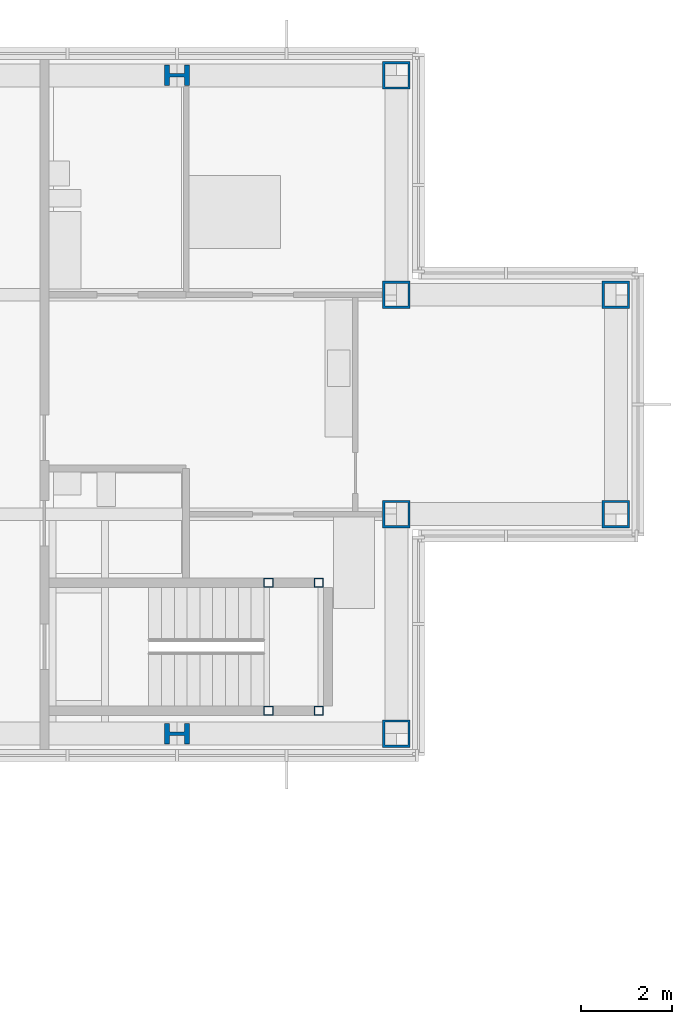
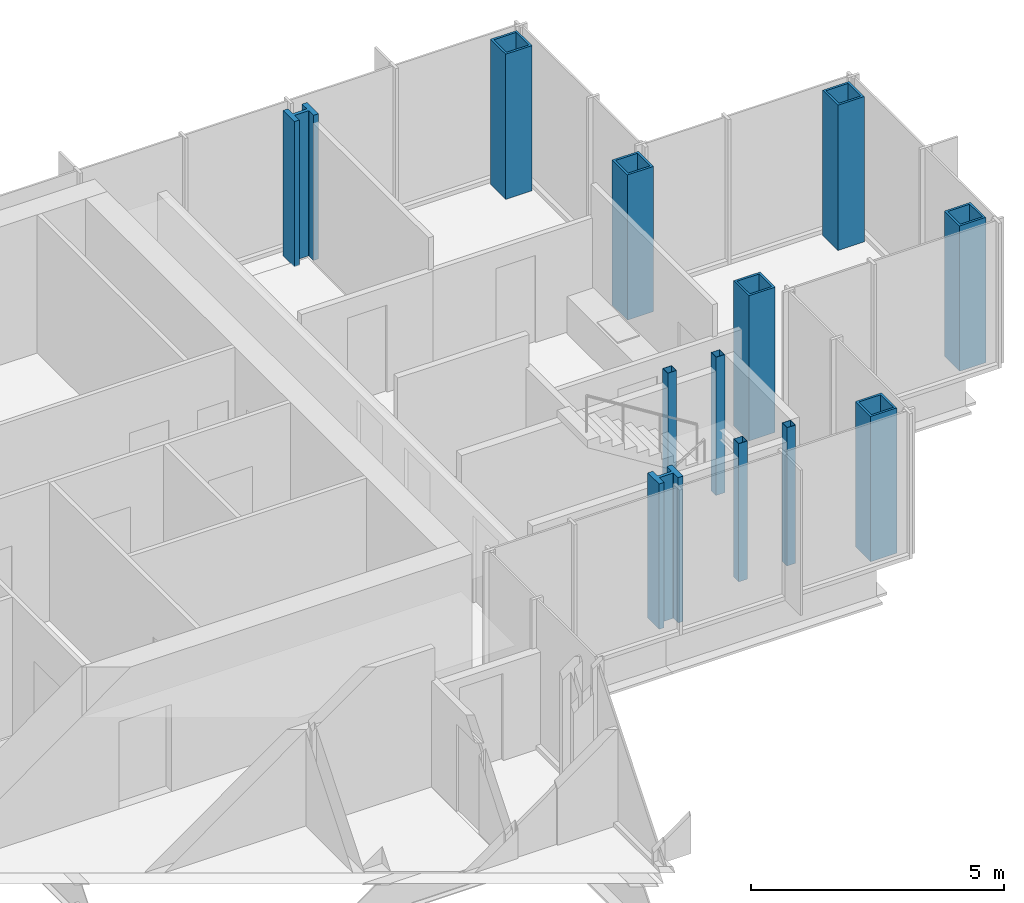
# One storey, part 4 of 15: 12 columns.
"""IFC4 building model written with IfcOpenShell, lengths in metres."""

from ifc_helpers import new_model, si_unit, direction, frame, origin, origin_2d, place, context, subcontext, project, spatial, hollow_rectangle, i_section, extrude, material, material_profile, profile_set, type_object, element, save


model = new_model("IFC4")

# Units and contexts
model_context = context("Model", 3, precision=1e-05, world=origin(), true_north=direction((0.0, 1.0)))
body_context = subcontext(model_context, "Body", "Model", "MODEL_VIEW")
ifc_project = project(units=[si_unit("LENGTHUNIT", "METRE"), si_unit("AREAUNIT", "SQUARE_METRE"), si_unit("VOLUMEUNIT", "CUBIC_METRE"), si_unit("PLANEANGLEUNIT", "RADIAN"), si_unit("MASSUNIT", "GRAM", prefix="KILO")], contexts=[model_context])

# Site, building, storey
site_placement = place(None, origin())
site = spatial("IfcSite", under=ifc_project, at=site_placement, CompositionType="ELEMENT")
building_placement = place(site_placement, origin())
building = spatial("IfcBuilding", under=site, at=building_placement, Name="Kvirike Care Tower", CompositionType="ELEMENT")
storey_placement = place(building_placement, frame((0.0, 0.0, 229.5)))
storey = spatial("IfcBuildingStorey", under=building, at=storey_placement, Name="L63", CompositionType="ELEMENT", Elevation=229.5)

# Columns
ifc_material_1 = material(Name="Steel S460", Category="steel")
ifc_material_profile_1 = material_profile(ifc_material_1, hollow_rectangle(XDim=0.60009765625, YDim=0.60009765625, WallThickness=0.050048828125, at=origin_2d()), Name="BX 600x600x50")
ifc_profile_set_1 = profile_set([ifc_material_profile_1], Name="Steel S460")
column_type_1 = type_object("IfcColumnType", Name="COLUMN BX 600x600x50", PredefinedType="COLUMN", material=ifc_profile_set_1)
for number, where, z_axis, x_axis, name in (
    (1, (38.39990234375, 28.800048828125, 0.0), (0.0, 0.0, 1.0), (0.0, 1.0, 0.0), "Column G11 L63"),
    (2, (38.39990234375, 33.60009765625, 0.0), (0.0, 0.0, 1.0), (0.0, 1.0, 0.0), "Column H11 L63"),
    (3, (38.39990234375, 38.39990234375, 0.0), (0.0, 0.0, 1.0), (0.0, 1.0, 0.0), "Column J11 L63"),
    (4, (38.39990234375, 43.199951171875, 0.0), (0.0, 0.0, 1.0), (0.0, 1.0, 0.0), "Column K11 L63"),
    (5, (43.199951171875, 33.60009765625, 0.0), (0.0, 0.0, 1.0), (0.0, 1.0, 0.0), "Column H12 L63"),
    (6, (43.199951171875, 38.39990234375, 0.0), (0.0, 0.0, 1.0), (0.0, 1.0, 0.0), "Column J12 L63"),
):
    element("IfcColumn", number, at=place(storey_placement, frame(where, z_axis=z_axis, x_axis=x_axis)), inside=storey, type_object=column_type_1, Name=name, PredefinedType="COLUMN", context=body_context, shape_type="SweptSolid", body=[
        extrude(hollow_rectangle(XDim=0.60009765625, YDim=0.60009765625, WallThickness=0.050048828125, at=origin_2d()), origin(), (0.0, 0.0, 1.0), 3.5),
    ])
ifc_material_2 = material(Name="Steel S460", Category="steel")
ifc_material_profile_2 = material_profile(ifc_material_2, i_section(OverallWidth=0.447998046875, OverallDepth=0.550048828125, WebThickness=0.072021484375, FlangeThickness=0.114990234375, FilletRadius=0.014892578125, at=origin_2d()), Name="HD 400x990")
ifc_profile_set_2 = profile_set([ifc_material_profile_2], Name="Steel S460")
column_type_2 = type_object("IfcColumnType", Name="COLUMN HD 400x990", PredefinedType="COLUMN", material=ifc_profile_set_2)
for number, where, z_axis, x_axis, name in (
    (7, (33.60009765625, 28.800048828125, 0.0), (0.0, 0.0, 1.0), (0.0, 1.0, 0.0), "Column G10 L63"),
    (8, (33.60009765625, 43.199951171875, 0.0), (0.0, 0.0, 1.0), (0.0, 1.0, 0.0), "Column K10 L63"),
):
    element("IfcColumn", number, at=place(storey_placement, frame(where, z_axis=z_axis, x_axis=x_axis)), inside=storey, type_object=column_type_2, Name=name, PredefinedType="COLUMN", context=body_context, shape_type="SweptSolid", body=[
        extrude(i_section(OverallWidth=0.447998046875, OverallDepth=0.550048828125, WebThickness=0.072021484375, FlangeThickness=0.114990234375, FilletRadius=0.014892578125, at=origin_2d()), origin(), (0.0, 0.0, 1.0), 3.5),
    ])
ifc_material_3 = material(Name="Steel S460", Category="steel")
ifc_material_profile_3 = material_profile(ifc_material_3, hollow_rectangle(XDim=0.199951171875, YDim=0.199951171875, WallThickness=0.008056640625, at=origin_2d()), Name="SHS 200x200x8")
ifc_profile_set_3 = profile_set([ifc_material_profile_3], Name="Steel S460")
column_type_3 = type_object("IfcColumnType", Name="STAIR POST SHS 200x200x8", PredefinedType="COLUMN", material=ifc_profile_set_3)
for number, where, z_axis, x_axis, name in (
    (9, (36.699951171875, 29.300048828125, 0.0), (0.0, 0.0, 1.0), (1.0, 0.0, 0.0), "Stair 2 post 1 L63"),
    (10, (36.699951171875, 32.10009765625, 0.0), (0.0, 0.0, 1.0), (1.0, 0.0, 0.0), "Stair 2 post 2 L63"),
    (11, (35.60009765625, 29.300048828125, 0.0), (0.0, 0.0, 1.0), (1.0, 0.0, 0.0), "Stair 2 post 3 L63"),
    (12, (35.60009765625, 32.10009765625, 0.0), (0.0, 0.0, 1.0), (1.0, 0.0, 0.0), "Stair 2 post 4 L63"),
):
    element("IfcColumn", number, at=place(storey_placement, frame(where, z_axis=z_axis, x_axis=x_axis)), inside=storey, type_object=column_type_3, Name=name, PredefinedType="COLUMN", context=body_context, shape_type="SweptSolid", body=[
        extrude(hollow_rectangle(XDim=0.199951171875, YDim=0.199951171875, WallThickness=0.008056640625, at=origin_2d()), origin(), (0.0, 0.0, 1.0), 3.330078125),
    ])

save(model, "model.ifc")
